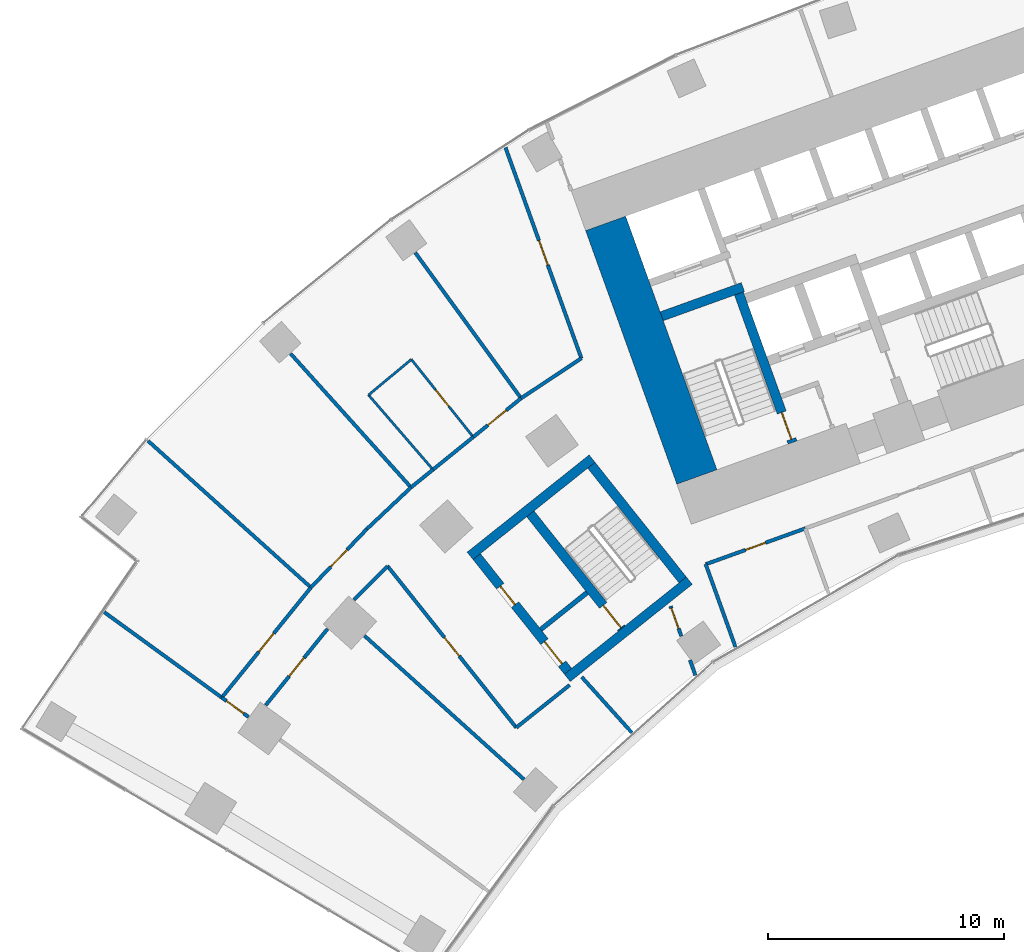
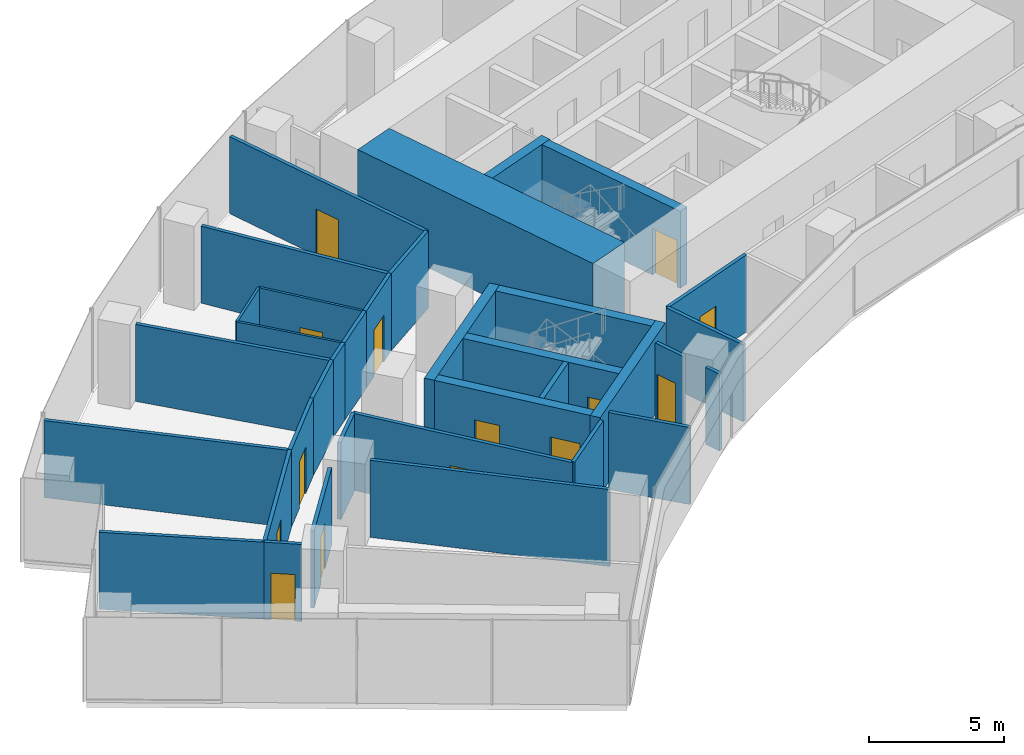
# One storey, part 14 of 21: 35 walls, 14 doors, 14 openings.
"""IFC4 building model written with IfcOpenShell, lengths in metres."""

import ifcopenshell
import ifcopenshell.guid

model = None  # the IFC model being written
_history = None  # IfcOwnerHistory: only IFC2X3 demands one
_inside = {}  # id of a spatial element -> (the spatial element, [elements in it])
_under = {}  # id of a project, library or spatial element -> (it, [spatial elements below it])
_declared = {}  # id of a project -> (the project, [libraries it declares])
_typed = {}  # id of a type object -> (the type object, [elements of that type])
_made_of = {}  # id of a material, layer set ... -> (it, [elements and type objects made of it])


def new_model(schema):
    """Start an empty IFC model of exactly this schema.

    Asked for "IFC4X3", IfcOpenShell would pick the latest addendum, in which some entities
    have other attributes; the version numbers below select the first issue.
    IFC2X3 requires an IfcOwnerHistory on every rooted entity: one is made here for all.
    """
    global model, _history
    if schema == "IFC4X3":
        model = ifcopenshell.file(schema_version=(4, 3, 0, 0))
    else:
        model = ifcopenshell.file(schema=schema)
    _inside.clear()
    _under.clear()
    _declared.clear()
    _typed.clear()
    _made_of.clear()
    _history = None
    if model.schema == "IFC2X3":
        org = make("IfcOrganization", Name="unknown")
        user = make(
            "IfcPersonAndOrganization",
            ThePerson=make("IfcPerson", FamilyName="unknown"),
            TheOrganization=org,
        )
        app = make(
            "IfcApplication",
            ApplicationDeveloper=org,
            Version="unknown",
            ApplicationFullName="unknown",
            ApplicationIdentifier="unknown",
        )
        _history = make(
            "IfcOwnerHistory",
            OwningUser=user,
            OwningApplication=app,
            ChangeAction="ADDED",
            CreationDate=0,
        )
    return model


def make(cls, **values):
    """One entity of the class cls with the attributes given. An attribute that is None is left unset."""
    return model.create_entity(
        cls, **{name: value for name, value in values.items() if value is not None}
    )


def rooted(cls, **values):
    """An entity with a GlobalId (a new one), such as an element, a storey or a relation."""
    return make(cls, GlobalId=ifcopenshell.guid.new(), OwnerHistory=_history, **values)


def si_unit(unit_type, name, prefix=None):
    """IfcSIUnit, for example si_unit("LENGTHUNIT", "METRE", prefix="MILLI")."""
    return make("IfcSIUnit", UnitType=unit_type, Prefix=prefix, Name=name)


def assignment(units):
    """IfcUnitAssignment: the units of a project."""
    return None if units is None else make("IfcUnitAssignment", Units=units)


def point(xyz):
    """IfcCartesianPoint."""
    return None if xyz is None else make("IfcCartesianPoint", Coordinates=xyz)


def direction(xyz):
    """IfcDirection."""
    return None if xyz is None else make("IfcDirection", DirectionRatios=xyz)


def frame(location, z_axis=None, x_axis=None):
    """IfcAxis2Placement3D, a coordinate frame: its origin and axes. An axis left out is left unset."""
    return make(
        "IfcAxis2Placement3D",
        Location=point(location),
        Axis=direction(z_axis),
        RefDirection=direction(x_axis),
    )


def frame_2d(location, x_axis=None):
    """IfcAxis2Placement2D, a coordinate frame in the plane: its origin and x axis."""
    return make(
        "IfcAxis2Placement2D", Location=point(location), RefDirection=direction(x_axis)
    )


def origin():
    """The frame at (0, 0, 0) with its axes left unset."""
    return frame((0.0, 0.0, 0.0))


def place(relative_to, where):
    """IfcLocalPlacement: puts the frame where relative to a parent placement (None: the world)."""
    return make(
        "IfcLocalPlacement", PlacementRelTo=relative_to, RelativePlacement=where
    )


def context(
    kind, dimensions, precision=None, world=None, true_north=None, identifier=None
):
    """IfcGeometricRepresentationContext, for example the 3D "Model" context."""
    return make(
        "IfcGeometricRepresentationContext",
        ContextIdentifier=identifier,
        ContextType=kind,
        CoordinateSpaceDimension=dimensions,
        Precision=precision,
        WorldCoordinateSystem=world,
        TrueNorth=true_north,
    )


def subcontext(parent, identifier, kind, view, scale=None):
    """IfcGeometricRepresentationSubContext, for example "Body" below "Model"."""
    return make(
        "IfcGeometricRepresentationSubContext",
        ContextIdentifier=identifier,
        ContextType=kind,
        ParentContext=parent,
        TargetScale=scale,
        TargetView=view,
    )


def project(units=None, contexts=None):
    """IfcProject with its units and contexts."""
    return rooted(
        "IfcProject",
        Name="project",
        RepresentationContexts=contexts,
        UnitsInContext=assignment(units),
    )


def spatial(cls, under=None, at=None, **own):
    """A site, building, storey or space (cls), placed at a placement, below another one or the project."""
    s = rooted(cls, ObjectPlacement=at, **own)
    if under is not None:
        _under.setdefault(under.id(), (under, []))[1].append(s)
    return s


def profile(cls, at=None, kind="AREA", **sizes):
    """A parametric profile (cls). Its sizes go by their IFC names, for example OverallWidth=200.0."""
    return make(cls, ProfileType=kind, Position=at, **sizes)


def rectangle(**sizes):
    """IfcRectangleProfileDef."""
    return profile("IfcRectangleProfileDef", **sizes)


def extrude(swept, where, along, depth):
    """IfcExtrudedAreaSolid: the profile swept, set in the frame where, extruded along a direction by depth."""
    return make(
        "IfcExtrudedAreaSolid",
        SweptArea=swept,
        Position=where,
        ExtrudedDirection=direction(along),
        Depth=depth,
    )


def shape(context_of_items, identifier, shape_type, items):
    """IfcShapeRepresentation: the items that make up one representation, for example the "Body"."""
    return make(
        "IfcShapeRepresentation",
        ContextOfItems=context_of_items,
        RepresentationIdentifier=identifier,
        RepresentationType=shape_type,
        Items=items,
    )


def material(Name=None, Category=None):
    """IfcMaterial."""
    return make("IfcMaterial", Name=Name, Category=Category)


def layer(
    of_material, thickness, ventilated=None, Name=None, Category=None, Priority=None
):
    """IfcMaterialLayer: one layer of a wall or slab, of a material (None: an air gap)."""
    return make(
        "IfcMaterialLayer",
        Material=of_material,
        LayerThickness=thickness,
        IsVentilated=ventilated,
        Name=Name,
        Category=Category,
        Priority=Priority,
    )


def layer_set(layers, Name=None):
    """IfcMaterialLayerSet."""
    return make("IfcMaterialLayerSet", MaterialLayers=layers, LayerSetName=Name)


def made_of(thing, what):
    """Note that an element or type object is made of a material, layer set ...; save() writes the relation."""
    if what is not None:
        _made_of.setdefault(what.id(), (what, []))[1].append(thing)
    return thing


def type_object(cls, material=None, **own):
    """A type object (cls), such as IfcWallType, which elements share."""
    return made_of(rooted(cls, **own), material)


def element(
    cls,
    number,
    at=None,
    inside=None,
    cuts=None,
    type_object=None,
    material=None,
    context=None,
    identifier="Body",
    shape_type=None,
    held_by="IfcProductDefinitionShape",
    body=None,
    shapes=None,
    **own,
):
    """One element of the class cls, such as IfcWall. Its Tag is "e" and its number.

    at: its placement. inside: the storey or other place that contains it. cuts: it is an
    opening in that element (IfcRelVoidsElement). A single representation is given by context,
    identifier, shape_type and body (its items); several are given by shapes. held_by: the class
    of the entity that holds the representations. save() writes the other relations.
    """
    e = rooted(cls, Tag="e%d" % number, ObjectPlacement=at, **own)
    if body is not None:
        shapes = [shape(context, identifier, shape_type, body)]
    if shapes is not None:
        e.Representation = make(held_by, Representations=shapes)
    if inside is not None:
        _inside.setdefault(inside.id(), (inside, []))[1].append(e)
    if cuts is not None:
        rooted(
            "IfcRelVoidsElement", RelatingBuildingElement=cuts, RelatedOpeningElement=e
        )
    if type_object is not None:
        _typed.setdefault(type_object.id(), (type_object, []))[1].append(e)
    return made_of(e, material)


def fill(opening, filler):
    """IfcRelFillsElement: the door or window that sits in an opening."""
    return rooted(
        "IfcRelFillsElement",
        RelatingOpeningElement=opening,
        RelatedBuildingElement=filler,
    )


def aggregate(whole, parts):
    """IfcRelAggregates: a whole, such as a stair, and the parts it consists of."""
    return rooted("IfcRelAggregates", RelatingObject=whole, RelatedObjects=parts)


def save(model, path):
    """Write the relations noted so far, then the file.

    IfcRelAggregates (storeys below a building ...), IfcRelContainedInSpatialStructure (elements
    in a storey), IfcRelDefinesByType, IfcRelAssociatesMaterial and IfcRelDeclares: one each for
    every whole, place, type object, material and project.
    """
    for whole, parts in _under.values():
        aggregate(whole, parts)
    for where, things in _inside.values():
        rooted(
            "IfcRelContainedInSpatialStructure",
            RelatedElements=things,
            RelatingStructure=where,
        )
    for kind, things in _typed.values():
        rooted("IfcRelDefinesByType", RelatedObjects=things, RelatingType=kind)
    for what, things in _made_of.values():
        rooted("IfcRelAssociatesMaterial", RelatedObjects=things, RelatingMaterial=what)
    for by, libraries in _declared.values():
        rooted("IfcRelDeclares", RelatingContext=by, RelatedDefinitions=libraries)
    model.write(path)


model = new_model("IFC4")

# Units and contexts
model_context = context("Model", 3, precision=1e-05, world=origin(), true_north=direction((0.0, 1.0)))
body_context = subcontext(model_context, "Body", "Model", "MODEL_VIEW")
ifc_project = project(units=[si_unit("LENGTHUNIT", "METRE"), si_unit("AREAUNIT", "SQUARE_METRE"), si_unit("VOLUMEUNIT", "CUBIC_METRE"), si_unit("PLANEANGLEUNIT", "RADIAN"), si_unit("MASSUNIT", "GRAM", prefix="KILO")], contexts=[model_context])

# Site, building, storey
site_placement = place(None, origin())
site = spatial("IfcSite", under=ifc_project, at=site_placement, CompositionType="ELEMENT")
building_placement = place(site_placement, origin())
building = spatial("IfcBuilding", under=site, at=building_placement, Name="Stone Belt Terrace Tower", CompositionType="ELEMENT")
storey_placement = place(building_placement, frame((0.0, 0.0, 56.60009765625)))
storey = spatial("IfcBuildingStorey", under=building, at=storey_placement, Name="L13", CompositionType="ELEMENT", Elevation=56.60009765625)

# Wall
ifc_material_1 = material(Name="Concrete B80", Category="concrete")
ifc_layer_1 = layer(ifc_material_1, 1.800048828125)
ifc_layer_set_1 = layer_set([ifc_layer_1], Name="Core wall 1800 B80")
wall_type_1 = type_object("IfcWallType", Name="Core wall 1800 B80", PredefinedType="SHEAR", material=ifc_layer_set_1)
wall_1_placement = place(storey_placement, frame((-26.197509765625, 42.96728515625, 0.0), z_axis=(0.0, 0.0, 1.0), x_axis=(-0.338625431531, 0.940921259788, 0.0)))
element("IfcWall", 1, at=wall_1_placement, inside=storey, type_object=wall_type_1, Name="Core A wall end_a L13", PredefinedType="SHEAR", context=body_context, shape_type="SweptSolid", body=[
    extrude(rectangle(XDim=11.400146484375, YDim=1.800048828125, at=frame_2d((5.7001953125, 0.0))), origin(), (0.0, 0.0, 1.0), 3.7998046875),
])

# Wall, opening, door
ifc_material_2 = material(Name="Gypsum board partition")
ifc_layer_2 = layer(ifc_material_2, 0.10009765625)
ifc_layer_set_2 = layer_set([ifc_layer_2], Name="PARTITION 100")
wall_type_2 = type_object("IfcWallType", Name="PARTITION 100", PredefinedType="PARTITIONING", material=ifc_layer_set_2)
wall_2_placement = place(storey_placement, frame((-35.658935546875, 44.657958984375, 0.0), z_axis=(0.0, 0.0, 1.0), x_axis=(-0.623872039907, 0.781526504875, 0.0)))
wall_2 = element("IfcWall", 2, at=wall_2_placement, inside=storey, type_object=wall_type_2, Name="L13/wall/i054", PredefinedType="PARTITIONING", context=body_context, shape_type="SweptSolid", body=[
    extrude(rectangle(XDim=4.1982421875, YDim=0.10009765625, at=frame_2d((2.09912109375, 0.0))), origin(), (0.0, 0.0, 1.0), 3.47998046875),
])
opening_1_placement = place(wall_2_placement, frame((1.649169921875, 0.0, 0.0)))
opening_1 = element("IfcOpeningElement", 3, at=opening_1_placement, cuts=wall_2, Name="Opening D-A4-18", PredefinedType="OPENING", context=body_context, shape_type="SweptSolid", body=[
    extrude(rectangle(XDim=0.89990234375, YDim=2.10009765625, at=frame_2d((0.449951171875, 1.050048828125))), frame((0.0, 0.06005859375, 0.0), z_axis=(0.0, -1.0, 0.0), x_axis=(1.0, 0.0, 0.0)), (0.0, 0.0, 1.0), 0.1201171875),
])
ifc_material_3 = material(Name="Timber door leaf", Category="wood")
door_type_1 = type_object("IfcDoorType", Name="OFFICE DOOR 900 X 2100", OperationType="NOTDEFINED", PredefinedType="DOOR", material=ifc_material_3)
door_1_placement = place(opening_1_placement, origin())
door_1 = element("IfcDoor", 4, at=door_1_placement, inside=storey, type_object=door_type_1, Name="L13/door/i18", OperationType="SINGLE_SWING_RIGHT", OverallHeight=2.10009765625, OverallWidth=0.89990234375, PredefinedType="DOOR", context=body_context, shape_type="SweptSolid", body=[
    extrude(rectangle(XDim=0.89990234375, YDim=2.10009765625, at=frame_2d((0.449951171875, 1.050048828125))), frame((0.0, 0.02490234375, 0.0), z_axis=(0.0, -1.0, 0.0), x_axis=(1.0, 0.0, 0.0)), (0.0, 0.0, 1.0), 0.050048828125),
])
fill(opening_1, door_1)

# Walls
wall_3_placement = place(storey_placement, frame((-38.278076171875, 47.93896484375, 0.0), z_axis=(0.0, 0.0, 1.0), x_axis=(-0.769317491723, -0.63886665035, 0.0)))
element("IfcWall", 5, at=wall_3_placement, inside=storey, type_object=wall_type_2, Name="L13/wall/i055", PredefinedType="PARTITIONING", context=body_context, shape_type="SweptSolid", body=[
    extrude(rectangle(XDim=2.3525390625, YDim=0.10009765625, at=frame_2d((1.17626953125, 0.0))), origin(), (0.0, 0.0, 1.0), 3.47998046875),
])
wall_4_placement = place(storey_placement, frame((-40.087890625, 46.43603515625, 0.0), z_axis=(0.0, 0.0, 1.0), x_axis=(0.653414148452, -0.757000627875, 0.0)))
element("IfcWall", 6, at=wall_4_placement, inside=storey, type_object=wall_type_2, Name="L13/wall/i056", PredefinedType="PARTITIONING", context=body_context, shape_type="SweptSolid", body=[
    extrude(rectangle(XDim=4.171630859375, YDim=0.10009765625, at=frame_2d((2.0859375, 0.0))), origin(), (0.0, 0.0, 1.0), 3.47998046875),
])
ifc_layer_3 = layer(ifc_material_2, 0.14990234375)
ifc_layer_set_3 = layer_set([ifc_layer_3], Name="PARTITION 150 EI 60")
wall_type_3 = type_object("IfcWallType", Name="PARTITION 150 EI 60", PredefinedType="PARTITIONING", material=ifc_layer_set_3)
wall_5_placement = place(storey_placement, frame((-25.826904296875, 39.281005859375, 0.0), z_axis=(0.0, 0.0, 1.0), x_axis=(0.338392582605, -0.941005026574, 0.0)))
element("IfcWall", 7, at=wall_5_placement, inside=storey, type_object=wall_type_3, Name="L13/wall/i001", PredefinedType="PARTITIONING", context=body_context, shape_type="SweptSolid", body=[
    extrude(rectangle(XDim=3.729248046875, YDim=0.14990234375, at=frame_2d((1.86474609375, 0.0))), origin(), (0.0, 0.0, 1.0), 3.47998046875),
])
wall_6_placement = place(storey_placement, frame((-26.25732421875, 34.572021484375, 0.0), z_axis=(0.0, 0.0, 1.0), x_axis=(-0.338832657553, 0.940846656037, 0.0)))
element("IfcWall", 8, at=wall_6_placement, inside=storey, type_object=wall_type_3, Name="L13/wall/i004", PredefinedType="PARTITIONING", context=body_context, shape_type="SweptSolid", body=[
    extrude(rectangle(XDim=0.6875, YDim=0.14990234375, at=frame_2d((0.34375, 0.0))), origin(), (0.0, 0.0, 1.0), 3.47998046875),
])

# Wall, opening, door
wall_7_placement = place(storey_placement, frame((-26.85595703125, 36.234619140625, 0.0), z_axis=(0.0, 0.0, 1.0), x_axis=(-0.338828657155, 0.940848096714, 0.0)))
wall_7 = element("IfcWall", 9, at=wall_7_placement, inside=storey, type_object=wall_type_3, Name="L13/wall/i005", PredefinedType="PARTITIONING", context=body_context, shape_type="SweptSolid", body=[
    extrude(rectangle(XDim=1.345947265625, YDim=0.14990234375, at=frame_2d((0.6728515625, 0.0))), origin(), (0.0, 0.0, 1.0), 3.47998046875),
])
opening_2_placement = place(wall_7_placement, frame((0.3515625, 0.0, 0.0)))
opening_2 = element("IfcOpeningElement", 10, at=opening_2_placement, cuts=wall_7, Name="Opening D-A4-13", PredefinedType="OPENING", context=body_context, shape_type="SweptSolid", body=[
    extrude(rectangle(XDim=0.89990234375, YDim=2.10009765625, at=frame_2d((0.449951171875, 1.050048828125))), frame((0.0, 0.0849609375, 0.0), z_axis=(0.0, -1.0, 0.0), x_axis=(1.0, 0.0, 0.0)), (0.0, 0.0, 1.0), 0.169921875),
])
ifc_material_4 = material(Name="Timber fire door leaf", Category="wood")
door_type_2 = type_object("IfcDoorType", Name="TENANCY ENTRANCE DOOR 900 X 2100", OperationType="NOTDEFINED", PredefinedType="DOOR", material=ifc_material_4)
door_2_placement = place(opening_2_placement, origin())
door_2 = element("IfcDoor", 11, at=door_2_placement, inside=storey, type_object=door_type_2, Name="L13/door/i13", OperationType="SINGLE_SWING_RIGHT", OverallHeight=2.10009765625, OverallWidth=0.89990234375, PredefinedType="DOOR", context=body_context, shape_type="SweptSolid", body=[
    extrude(rectangle(XDim=0.89990234375, YDim=2.10009765625, at=frame_2d((0.449951171875, 1.050048828125))), frame((0.0, 0.02490234375, 0.0), z_axis=(0.0, -1.0, 0.0), x_axis=(1.0, 0.0, 0.0)), (0.0, 0.0, 1.0), 0.050048828125),
])
fill(opening_2, door_2)

wall_8_placement = place(storey_placement, frame((-31.0830078125, 47.98193359375, 0.0), z_axis=(0.0, 0.0, 1.0), x_axis=(-0.338806014878, 0.940856250594, 0.0)))
wall_8 = element("IfcWall", 12, at=wall_8_placement, inside=storey, type_object=wall_type_3, Name="L13/wall/i006", PredefinedType="PARTITIONING", context=body_context, shape_type="SweptSolid", body=[
    extrude(rectangle(XDim=9.489501953125, YDim=0.14990234375, at=frame_2d((4.74462890625, 0.0))), origin(), (0.0, 0.0, 1.0), 3.47998046875),
])
opening_3_placement = place(wall_8_placement, frame((4.194580078125, 0.0, 0.0)))
opening_3 = element("IfcOpeningElement", 13, at=opening_3_placement, cuts=wall_8, Name="Opening D-A4-16", PredefinedType="OPENING", context=body_context, shape_type="SweptSolid", body=[
    extrude(rectangle(XDim=1.10009765625, YDim=2.10009765625, at=frame_2d((0.550048828125, 1.050048828125))), frame((0.0, 0.0849609375, 0.0), z_axis=(0.0, -1.0, 0.0), x_axis=(1.0, 0.0, 0.0)), (0.0, 0.0, 1.0), 0.169921875),
])
ifc_material_5 = material(Name="Steel fire door set", Category="steel")
door_type_3 = type_object("IfcDoorType", Name="SERVICE ROOM DOOR 1100 X 2100", OperationType="NOTDEFINED", PredefinedType="DOOR", material=ifc_material_5)
door_3_placement = place(opening_3_placement, origin())
door_3 = element("IfcDoor", 14, at=door_3_placement, inside=storey, type_object=door_type_3, Name="L13/door/i16", OperationType="SINGLE_SWING_LEFT", OverallHeight=2.10009765625, OverallWidth=1.10009765625, PredefinedType="DOOR", context=body_context, shape_type="SweptSolid", body=[
    extrude(rectangle(XDim=1.10009765625, YDim=2.10009765625, at=frame_2d((0.550048828125, 1.050048828125))), frame((0.0, 0.02490234375, 0.0), z_axis=(0.0, -1.0, 0.0), x_axis=(1.0, 0.0, 0.0)), (0.0, 0.0, 1.0), 0.050048828125),
])
fill(opening_3, door_3)

wall_9_placement = place(storey_placement, frame((-21.610107421875, 40.7919921875, 0.0), z_axis=(0.0, 0.0, 1.0), x_axis=(-0.940905474606, -0.338669289805, 0.0)))
wall_9 = element("IfcWall", 15, at=wall_9_placement, inside=storey, type_object=wall_type_3, Name="L13/wall/i011", PredefinedType="PARTITIONING", context=body_context, shape_type="SweptSolid", body=[
    extrude(rectangle(XDim=4.4794921875, YDim=0.14990234375, at=frame_2d((2.23974609375, 0.0))), origin(), (0.0, 0.0, 1.0), 3.47998046875),
])
opening_4_placement = place(wall_9_placement, frame((1.789794921875, 0.0, 0.0)))
opening_4 = element("IfcOpeningElement", 16, at=opening_4_placement, cuts=wall_9, Name="Opening D-A4-01", PredefinedType="OPENING", context=body_context, shape_type="SweptSolid", body=[
    extrude(rectangle(XDim=0.89990234375, YDim=2.10009765625, at=frame_2d((0.449951171875, 1.050048828125))), frame((0.0, 0.0849609375, 0.0), z_axis=(0.0, -1.0, 0.0), x_axis=(1.0, 0.0, 0.0)), (0.0, 0.0, 1.0), 0.169921875),
])
door_4_placement = place(opening_4_placement, origin())
door_4 = element("IfcDoor", 17, at=door_4_placement, inside=storey, type_object=door_type_1, Name="L13/door/i01", OperationType="SINGLE_SWING_RIGHT", OverallHeight=2.10009765625, OverallWidth=0.89990234375, PredefinedType="DOOR", context=body_context, shape_type="SweptSolid", body=[
    extrude(rectangle(XDim=0.89990234375, YDim=2.10009765625, at=frame_2d((0.449951171875, 1.050048828125))), frame((0.0, 0.02490234375, 0.0), z_axis=(0.0, -1.0, 0.0), x_axis=(1.0, 0.0, 0.0)), (0.0, 0.0, 1.0), 0.050048828125),
])
fill(opening_4, door_4)

wall_10_placement = place(storey_placement, frame((-45.167236328125, 32.816162109375, 0.0), z_axis=(0.0, 0.0, 1.0), x_axis=(-0.809353623303, 0.587321643094, 0.0)))
wall_10 = element("IfcWall", 18, at=wall_10_placement, inside=storey, type_object=wall_type_3, Name="L13/wall/i037", PredefinedType="PARTITIONING", context=body_context, shape_type="SweptSolid", body=[
    extrude(rectangle(XDim=1.40087890625, YDim=0.14990234375, at=frame_2d((0.700439453125, 0.0))), origin(), (0.0, 0.0, 1.0), 3.47998046875),
])
opening_5_placement = place(wall_10_placement, frame((0.25048828125, 0.0, 0.0)))
opening_5 = element("IfcOpeningElement", 19, at=opening_5_placement, cuts=wall_10, Name="Opening D-A4-12", PredefinedType="OPENING", context=body_context, shape_type="SweptSolid", body=[
    extrude(rectangle(XDim=0.89990234375, YDim=2.10009765625, at=frame_2d((0.449951171875, 1.050048828125))), frame((0.0, 0.0849609375, 0.0), z_axis=(0.0, -1.0, 0.0), x_axis=(1.0, 0.0, 0.0)), (0.0, 0.0, 1.0), 0.169921875),
])
door_5_placement = place(opening_5_placement, origin())
door_5 = element("IfcDoor", 20, at=door_5_placement, inside=storey, type_object=door_type_1, Name="L13/door/i12", OperationType="SINGLE_SWING_RIGHT", OverallHeight=2.10009765625, OverallWidth=0.89990234375, PredefinedType="DOOR", context=body_context, shape_type="SweptSolid", body=[
    extrude(rectangle(XDim=0.89990234375, YDim=2.10009765625, at=frame_2d((0.449951171875, 1.050048828125))), frame((0.0, 0.02490234375, 0.0), z_axis=(0.0, -1.0, 0.0), x_axis=(1.0, 0.0, 0.0)), (0.0, 0.0, 1.0), 0.050048828125),
])
fill(opening_5, door_5)

# Walls
wall_11_placement = place(storey_placement, frame((-51.27294921875, 37.251708984375, 0.0), z_axis=(0.0, 0.0, 1.0), x_axis=(0.809013729568, -0.587789745887, 0.0)))
element("IfcWall", 21, at=wall_11_placement, inside=storey, type_object=wall_type_3, Name="L13/wall/i039", PredefinedType="PARTITIONING", context=body_context, shape_type="SweptSolid", body=[
    extrude(rectangle(XDim=6.157958984375, YDim=0.14990234375, at=frame_2d((3.0791015625, 0.0))), origin(), (0.0, 0.0, 1.0), 3.47998046875),
])
wall_12_placement = place(storey_placement, frame((-33.635986328125, 46.2958984375, 0.0), z_axis=(0.0, 0.0, 1.0), x_axis=(0.833385857539, 0.552691607005, 0.0)))
element("IfcWall", 22, at=wall_12_placement, inside=storey, type_object=wall_type_3, Name="L13/wall/i040", PredefinedType="PARTITIONING", context=body_context, shape_type="SweptSolid", body=[
    extrude(rectangle(XDim=3.059814453125, YDim=0.14990234375, at=frame_2d((1.52978515625, 0.0))), origin(), (0.0, 0.0, 1.0), 3.47998046875),
])
wall_13_placement = place(storey_placement, frame((-38.2900390625, 42.527099609375, 0.0), z_axis=(0.0, 0.0, 1.0), x_axis=(0.777443786305, 0.628952429946, 0.0)))
element("IfcWall", 23, at=wall_13_placement, inside=storey, type_object=wall_type_3, Name="L13/wall/i041", PredefinedType="PARTITIONING", context=body_context, shape_type="SweptSolid", body=[
    extrude(rectangle(XDim=1.2001953125, YDim=0.14990234375, at=frame_2d((0.60009765625, 0.0))), origin(), (0.0, 0.0, 1.0), 3.47998046875),
])

# Wall, opening, door
wall_14_placement = place(storey_placement, frame((-35.6630859375, 44.654052734375, 0.0), z_axis=(0.0, 0.0, 1.0), x_axis=(0.777083561477, 0.629397440797, 0.0)))
wall_14 = element("IfcWall", 24, at=wall_14_placement, inside=storey, type_object=wall_type_3, Name="L13/wall/i042", PredefinedType="PARTITIONING", context=body_context, shape_type="SweptSolid", body=[
    extrude(rectangle(XDim=2.608642578125, YDim=0.14990234375, at=frame_2d((1.30419921875, 0.0))), origin(), (0.0, 0.0, 1.0), 3.47998046875),
])
opening_6_placement = place(wall_14_placement, frame((0.80419921875, 0.0, 0.0)))
opening_6 = element("IfcOpeningElement", 25, at=opening_6_placement, cuts=wall_14, Name="Opening D-A4-17", PredefinedType="OPENING", context=body_context, shape_type="SweptSolid", body=[
    extrude(rectangle(XDim=1.0, YDim=2.10009765625, at=frame_2d((0.5, 1.050048828125))), frame((0.0, 0.0849609375, 0.0), z_axis=(0.0, -1.0, 0.0), x_axis=(1.0, 0.0, 0.0)), (0.0, 0.0, 1.0), 0.169921875),
])
door_type_4 = type_object("IfcDoorType", Name="TENANCY ENTRANCE DOOR 1000 X 2100", OperationType="NOTDEFINED", PredefinedType="DOOR", material=ifc_material_4)
door_6_placement = place(opening_6_placement, origin())
door_6 = element("IfcDoor", 26, at=door_6_placement, inside=storey, type_object=door_type_4, Name="L13/door/i17", OperationType="SINGLE_SWING_RIGHT", OverallHeight=2.10009765625, OverallWidth=1.0, PredefinedType="DOOR", context=body_context, shape_type="SweptSolid", body=[
    extrude(rectangle(XDim=1.0, YDim=2.10009765625, at=frame_2d((0.5, 1.050048828125))), frame((0.0, 0.02490234375, 0.0), z_axis=(0.0, -1.0, 0.0), x_axis=(1.0, 0.0, 0.0)), (0.0, 0.0, 1.0), 0.050048828125),
])
fill(opening_6, door_6)

# Walls
wall_15_placement = place(storey_placement, frame((-37.366943359375, 43.27392578125, 0.0), z_axis=(0.0, 0.0, 1.0), x_axis=(0.777170056784, 0.629290634634, 0.0)))
element("IfcWall", 27, at=wall_15_placement, inside=storey, type_object=wall_type_3, Name="L13/wall/i043", PredefinedType="PARTITIONING", context=body_context, shape_type="SweptSolid", body=[
    extrude(rectangle(XDim=2.2041015625, YDim=0.14990234375, at=frame_2d((1.10205078125, 0.0))), origin(), (0.0, 0.0, 1.0), 3.47998046875),
])
wall_16_placement = place(storey_placement, frame((-40.1640625, 40.761962890625, 0.0), z_axis=(0.0, 0.0, 1.0), x_axis=(0.727996599904, 0.685580739613, 0.0)))
element("IfcWall", 28, at=wall_16_placement, inside=storey, type_object=wall_type_3, Name="L13/wall/i044", PredefinedType="PARTITIONING", context=body_context, shape_type="SweptSolid", body=[
    extrude(rectangle(XDim=2.572998046875, YDim=0.14990234375, at=frame_2d((1.28662109375, 0.0))), origin(), (0.0, 0.0, 1.0), 3.47998046875),
])
wall_17_placement = place(storey_placement, frame((-39.285888671875, 39.200927734375, 0.0), z_axis=(0.0, 0.0, 1.0), x_axis=(-0.707106781187, -0.707106781187, 0.0)))
element("IfcWall", 29, at=wall_17_placement, inside=storey, type_object=wall_type_3, Name="L13/wall/i045", PredefinedType="PARTITIONING", context=body_context, shape_type="SweptSolid", body=[
    extrude(rectangle(XDim=2.017333984375, YDim=0.14990234375, at=frame_2d((1.0087890625, 0.0))), origin(), (0.0, 0.0, 1.0), 3.47998046875),
])

# Wall, opening, door
wall_18_placement = place(storey_placement, frame((-41.82373046875, 36.541259765625, 0.0), z_axis=(0.0, 0.0, 1.0), x_axis=(-0.629213442028, -0.777232554884, 0.0)))
wall_18 = element("IfcWall", 30, at=wall_18_placement, inside=storey, type_object=wall_type_3, Name="L13/wall/i046", PredefinedType="PARTITIONING", context=body_context, shape_type="SweptSolid", body=[
    extrude(rectangle(XDim=4.15478515625, YDim=0.14990234375, at=frame_2d((2.077392578125, 0.0))), origin(), (0.0, 0.0, 1.0), 3.47998046875),
])
opening_7_placement = place(wall_18_placement, frame((1.577392578125, 0.0, 0.0)))
opening_7 = element("IfcOpeningElement", 31, at=opening_7_placement, cuts=wall_18, Name="Opening D-A4-15", PredefinedType="OPENING", context=body_context, shape_type="SweptSolid", body=[
    extrude(rectangle(XDim=1.0, YDim=2.10009765625, at=frame_2d((0.5, 1.050048828125))), frame((0.0, 0.0849609375, 0.0), z_axis=(0.0, -1.0, 0.0), x_axis=(1.0, 0.0, 0.0)), (0.0, 0.0, 1.0), 0.169921875),
])
door_7_placement = place(opening_7_placement, origin())
door_7 = element("IfcDoor", 32, at=door_7_placement, inside=storey, type_object=door_type_4, Name="L13/door/i15", OperationType="SINGLE_SWING_RIGHT", OverallHeight=2.10009765625, OverallWidth=1.0, PredefinedType="DOOR", context=body_context, shape_type="SweptSolid", body=[
    extrude(rectangle(XDim=1.0, YDim=2.10009765625, at=frame_2d((0.5, 1.050048828125))), frame((0.0, 0.02490234375, 0.0), z_axis=(0.0, -1.0, 0.0), x_axis=(1.0, 0.0, 0.0)), (0.0, 0.0, 1.0), 0.050048828125),
])
fill(opening_7, door_7)

wall_19_placement = place(storey_placement, frame((-42.52587890625, 38.291015625, 0.0), z_axis=(0.0, 0.0, 1.0), x_axis=(0.690963131402, 0.722889999269, 0.0)))
wall_19 = element("IfcWall", 33, at=wall_19_placement, inside=storey, type_object=wall_type_3, Name="L13/wall/i047", PredefinedType="PARTITIONING", context=body_context, shape_type="SweptSolid", body=[
    extrude(rectangle(XDim=3.418212890625, YDim=0.14990234375, at=frame_2d((1.708984375, 0.0))), origin(), (0.0, 0.0, 1.0), 3.47998046875),
])
opening_8_placement = place(wall_19_placement, frame((1.209228515625, 0.0, 0.0)))
opening_8 = element("IfcOpeningElement", 34, at=opening_8_placement, cuts=wall_19, Name="Opening D-A4-19", PredefinedType="OPENING", context=body_context, shape_type="SweptSolid", body=[
    extrude(rectangle(XDim=1.0, YDim=2.10009765625, at=frame_2d((0.5, 1.050048828125))), frame((0.0, 0.0849609375, 0.0), z_axis=(0.0, -1.0, 0.0), x_axis=(1.0, 0.0, 0.0)), (0.0, 0.0, 1.0), 0.169921875),
])
door_8_placement = place(opening_8_placement, origin())
door_8 = element("IfcDoor", 35, at=door_8_placement, inside=storey, type_object=door_type_4, Name="L13/door/i19", OperationType="SINGLE_SWING_RIGHT", OverallHeight=2.10009765625, OverallWidth=1.0, PredefinedType="DOOR", context=body_context, shape_type="SweptSolid", body=[
    extrude(rectangle(XDim=1.0, YDim=2.10009765625, at=frame_2d((0.5, 1.050048828125))), frame((0.0, 0.02490234375, 0.0), z_axis=(0.0, -1.0, 0.0), x_axis=(1.0, 0.0, 0.0)), (0.0, 0.0, 1.0), 0.050048828125),
])
fill(opening_8, door_8)

wall_20_placement = place(storey_placement, frame((-46.2958984375, 33.635986328125, 0.0), z_axis=(0.0, 0.0, 1.0), x_axis=(0.629322532513, 0.77714422733, 0.0)))
wall_20 = element("IfcWall", 36, at=wall_20_placement, inside=storey, type_object=wall_type_3, Name="L13/wall/i048", PredefinedType="PARTITIONING", context=body_context, shape_type="SweptSolid", body=[
    extrude(rectangle(XDim=5.98876953125, YDim=0.14990234375, at=frame_2d((2.994384765625, 0.0))), origin(), (0.0, 0.0, 1.0), 3.47998046875),
])
opening_9_placement = place(wall_20_placement, frame((2.494384765625, 0.0, 0.0)))
opening_9 = element("IfcOpeningElement", 37, at=opening_9_placement, cuts=wall_20, Name="Opening D-A4-20", PredefinedType="OPENING", context=body_context, shape_type="SweptSolid", body=[
    extrude(rectangle(XDim=1.0, YDim=2.10009765625, at=frame_2d((0.5, 1.050048828125))), frame((0.0, 0.0849609375, 0.0), z_axis=(0.0, -1.0, 0.0), x_axis=(1.0, 0.0, 0.0)), (0.0, 0.0, 1.0), 0.169921875),
])
door_9_placement = place(opening_9_placement, origin())
door_9 = element("IfcDoor", 38, at=door_9_placement, inside=storey, type_object=door_type_4, Name="L13/door/i20", OperationType="SINGLE_SWING_RIGHT", OverallHeight=2.10009765625, OverallWidth=1.0, PredefinedType="DOOR", context=body_context, shape_type="SweptSolid", body=[
    extrude(rectangle(XDim=1.0, YDim=2.10009765625, at=frame_2d((0.5, 1.050048828125))), frame((0.0, 0.02490234375, 0.0), z_axis=(0.0, -1.0, 0.0), x_axis=(1.0, 0.0, 0.0)), (0.0, 0.0, 1.0), 0.050048828125),
])
fill(opening_9, door_9)

# Wall
wall_21_placement = place(storey_placement, frame((-31.5810546875, 34.1650390625, 0.0), z_axis=(0.0, 0.0, 1.0), x_axis=(-0.782079504581, -0.623178665003, 0.0)))
element("IfcWall", 39, at=wall_21_placement, inside=storey, type_object=wall_type_3, Name="L13/wall/i049", PredefinedType="PARTITIONING", context=body_context, shape_type="SweptSolid", body=[
    extrude(rectangle(XDim=2.888427734375, YDim=0.14990234375, at=frame_2d((1.4443359375, 0.0))), origin(), (0.0, 0.0, 1.0), 3.47998046875),
])

# Wall, opening, door
wall_22_placement = place(storey_placement, frame((-33.840087890625, 32.364990234375, 0.0), z_axis=(0.0, 0.0, 1.0), x_axis=(-0.623151683061, 0.782101003643, 0.0)))
wall_22 = element("IfcWall", 40, at=wall_22_placement, inside=storey, type_object=wall_type_3, Name="L13/wall/i050", PredefinedType="PARTITIONING", context=body_context, shape_type="SweptSolid", body=[
    extrude(rectangle(XDim=8.745849609375, YDim=0.14990234375, at=frame_2d((4.373046875, 0.0))), origin(), (0.0, 0.0, 1.0), 3.47998046875),
])
opening_10_placement = place(wall_22_placement, frame((3.872802734375, 0.0, 0.0)))
opening_10 = element("IfcOpeningElement", 41, at=opening_10_placement, cuts=wall_22, Name="Opening D-A4-14", PredefinedType="OPENING", context=body_context, shape_type="SweptSolid", body=[
    extrude(rectangle(XDim=1.0, YDim=2.10009765625, at=frame_2d((0.5, 1.050048828125))), frame((0.0, 0.0849609375, 0.0), z_axis=(0.0, -1.0, 0.0), x_axis=(1.0, 0.0, 0.0)), (0.0, 0.0, 1.0), 0.169921875),
])
door_10_placement = place(opening_10_placement, origin())
door_10 = element("IfcDoor", 42, at=door_10_placement, inside=storey, type_object=door_type_4, Name="L13/door/i14", OperationType="SINGLE_SWING_RIGHT", OverallHeight=2.10009765625, OverallWidth=1.0, PredefinedType="DOOR", context=body_context, shape_type="SweptSolid", body=[
    extrude(rectangle(XDim=1.0, YDim=2.10009765625, at=frame_2d((0.5, 1.050048828125))), frame((0.0, 0.02490234375, 0.0), z_axis=(0.0, -1.0, 0.0), x_axis=(1.0, 0.0, 0.0)), (0.0, 0.0, 1.0), 0.050048828125),
])
fill(opening_10, door_10)

# Walls
wall_23_placement = place(storey_placement, frame((-28.94775390625, 32.149658203125, 0.0), z_axis=(0.0, 0.0, 1.0), x_axis=(-0.669245279782, 0.74304155704, 0.0)))
element("IfcWall", 43, at=wall_23_placement, inside=storey, type_object=wall_type_3, Name="L13/wall/i051", PredefinedType="PARTITIONING", context=body_context, shape_type="SweptSolid", body=[
    extrude(rectangle(XDim=3.172607421875, YDim=0.14990234375, at=frame_2d((1.58642578125, 0.0))), origin(), (0.0, 0.0, 1.0), 3.47998046875),
])
wall_24_placement = place(storey_placement, frame((-33.515869140625, 30.177734375, 0.0), z_axis=(0.0, 0.0, 1.0), x_axis=(-0.743122805234, 0.669155061508, 0.0)))
element("IfcWall", 44, at=wall_24_placement, inside=storey, type_object=wall_type_3, Name="L13/wall/i052", PredefinedType="PARTITIONING", context=body_context, shape_type="SweptSolid", body=[
    extrude(rectangle(XDim=9.070068359375, YDim=0.14990234375, at=frame_2d((4.53515625, 0.0))), origin(), (0.0, 0.0, 1.0), 3.47998046875),
])
wall_25_placement = place(storey_placement, frame((-33.635986328125, 46.2958984375, 0.0), z_axis=(0.0, 0.0, 1.0), x_axis=(-0.587784342943, 0.809017655055, 0.0)))
element("IfcWall", 45, at=wall_25_placement, inside=storey, type_object=wall_type_3, Name="L13/wall/i053", PredefinedType="PARTITIONING", context=body_context, shape_type="SweptSolid", body=[
    extrude(rectangle(XDim=7.60888671875, YDim=0.14990234375, at=frame_2d((3.804443359375, 0.0))), origin(), (0.0, 0.0, 1.0), 3.47998046875),
])
wall_26_placement = place(storey_placement, frame((-38.291015625, 42.52587890625, 0.0), z_axis=(0.0, 0.0, 1.0), x_axis=(-0.669060448127, 0.743207990237, 0.0)))
element("IfcWall", 46, at=wall_26_placement, inside=storey, type_object=wall_type_3, Name="L13/wall/i057", PredefinedType="PARTITIONING", context=body_context, shape_type="SweptSolid", body=[
    extrude(rectangle(XDim=7.609375, YDim=0.14990234375, at=frame_2d((3.8046875, 0.0))), origin(), (0.0, 0.0, 1.0), 3.47998046875),
])
wall_27_placement = place(storey_placement, frame((-42.52587890625, 38.291015625, 0.0), z_axis=(0.0, 0.0, 1.0), x_axis=(-0.743148838472, 0.66912614945, 0.0)))
element("IfcWall", 47, at=wall_27_placement, inside=storey, type_object=wall_type_3, Name="L13/wall/i058", PredefinedType="PARTITIONING", context=body_context, shape_type="SweptSolid", body=[
    extrude(rectangle(XDim=9.2744140625, YDim=0.14990234375, at=frame_2d((4.63720703125, 0.0))), origin(), (0.0, 0.0, 1.0), 3.47998046875),
])
ifc_material_6 = material(Name="Concrete masonry block", Category="masonry")
ifc_layer_4 = layer(ifc_material_6, 0.199951171875)
ifc_layer_set_4 = layer_set([ifc_layer_4], Name="Rated lobby wall 200")
wall_type_4 = type_object("IfcWallType", Name="Rated lobby wall 200", PredefinedType="PARTITIONING", material=ifc_layer_set_4)
wall_28_placement = place(storey_placement, frame((-30.845703125, 38.074951171875, 0.0), z_axis=(0.0, 0.0, 1.0), x_axis=(-0.782115323833, -0.623133709749, 0.0)))
element("IfcWall", 48, at=wall_28_placement, inside=storey, type_object=wall_type_4, Name="Exit stair ST3A wall", PredefinedType="PARTITIONING", context=body_context, shape_type="SweptSolid", body=[
    extrude(rectangle(XDim=2.5, YDim=0.199951171875, at=frame_2d((1.25, 0.0))), origin(), (0.0, 0.0, 1.0), 3.47998046875),
])
ifc_layer_5 = layer(ifc_material_1, 0.39990234375)
ifc_layer_set_5 = layer_set([ifc_layer_5], Name="Stair enclosure wall 400")
wall_type_5 = type_object("IfcWallType", Name="Stair enclosure wall 400", PredefinedType="SHEAR", material=ifc_layer_set_5)
wall_29_placement = place(storey_placement, frame((-27.687255859375, 49.764404296875, 0.0), z_axis=(0.0, 0.0, 1.0), x_axis=(0.940918954884, 0.338631835981, 0.0)))
element("IfcWall", 49, at=wall_29_placement, inside=storey, type_object=wall_type_5, Name="Core A wall", PredefinedType="SHEAR", context=body_context, shape_type="SweptSolid", body=[
    extrude(rectangle(XDim=3.650146484375, YDim=0.39990234375, at=frame_2d((1.8251953125, 0.0))), origin(), (0.0, 0.0, 1.0), 3.47998046875),
])

# Wall, opening, door
wall_30_placement = place(storey_placement, frame((-22.151611328125, 44.42333984375, 0.0), z_axis=(0.0, 0.0, 1.0), x_axis=(-0.338625272931, 0.940921316866, 0.0)))
wall_30 = element("IfcWall", 50, at=wall_30_placement, inside=storey, type_object=wall_type_5, Name="Core A wall", PredefinedType="SHEAR", context=body_context, shape_type="SweptSolid", body=[
    extrude(rectangle(XDim=6.699951171875, YDim=0.39990234375, at=frame_2d((3.35009765625, 0.0))), origin(), (0.0, 0.0, 1.0), 3.47998046875),
])
opening_11_placement = place(wall_30_placement, frame((0.14990234375, 0.0, 0.0)))
opening_11 = element("IfcOpeningElement", 51, at=opening_11_placement, cuts=wall_30, Name="Opening L13-C03", PredefinedType="OPENING", context=body_context, shape_type="SweptSolid", body=[
    extrude(rectangle(XDim=1.199951171875, YDim=2.10009765625, at=frame_2d((0.60009765625, 1.050048828125))), frame((0.0, 0.2099609375, 0.0), z_axis=(0.0, -1.0, 0.0), x_axis=(1.0, 0.0, 0.0)), (0.0, 0.0, 1.0), 0.419921875),
])
ifc_material_7 = material(Name="Steel door leaf", Category="steel")
door_type_5 = type_object("IfcDoorType", Name="Stair door 1200", OperationType="SINGLE_SWING_LEFT", PredefinedType="DOOR", material=ifc_material_7)
door_11_placement = place(opening_11_placement, origin())
door_11 = element("IfcDoor", 52, at=door_11_placement, inside=storey, type_object=door_type_5, Name="Stair 1 door core A", OperationType="SINGLE_SWING_LEFT", OverallHeight=2.10009765625, OverallWidth=1.199951171875, PredefinedType="DOOR", context=body_context, shape_type="SweptSolid", body=[
    extrude(rectangle(XDim=1.199951171875, YDim=2.10009765625, at=frame_2d((0.60009765625, 1.050048828125))), frame((0.0, 0.02490234375, 0.0), z_axis=(0.0, -1.0, 0.0), x_axis=(1.0, 0.0, 0.0)), (0.0, 0.0, 1.0), 0.050048828125),
])
fill(opening_11, door_11)

# Walls
for number, where, z_axis, x_axis, name in (
    (53, (-26.518798828125, 38.58154296875, 0.0), (0.0, 0.0, 1.0), (-0.782133914161, -0.623110375711, 0.0), "Exit stair ST3A wall"),
    (54, (-30.63134765625, 43.74365234375, 0.0), (0.0, 0.0, 1.0), (-0.782133914161, -0.623110375711, 0.0), "Exit stair ST3A wall"),
):
    element("IfcWall", number, at=place(storey_placement, frame(where, z_axis=z_axis, x_axis=x_axis)), inside=storey, type_object=wall_type_5, Name=name, PredefinedType="SHEAR", context=body_context, shape_type="SweptSolid", body=[
        extrude(rectangle(XDim=6.60009765625, YDim=0.39990234375, at=frame_2d((3.300048828125, 0.0))), origin(), (0.0, 0.0, 1.0), 3.47998046875),
    ])
wall_31_placement = place(storey_placement, frame((-26.7998046875, 38.61328125, 0.0), z_axis=(0.0, 0.0, 1.0), x_axis=(-0.623118653668, 0.782127319208, 0.0)))
element("IfcWall", 55, at=wall_31_placement, inside=storey, type_object=wall_type_5, Name="Exit stair ST3A wall", PredefinedType="SHEAR", context=body_context, shape_type="SweptSolid", body=[
    extrude(rectangle(XDim=6.199951171875, YDim=0.39990234375, at=frame_2d((3.10009765625, 0.0))), origin(), (0.0, 0.0, 1.0), 3.47998046875),
])

# Wall, openings, doors
wall_32_placement = place(storey_placement, frame((-31.64892578125, 34.75, 0.0), z_axis=(0.0, 0.0, 1.0), x_axis=(-0.623118653668, 0.782127319208, 0.0)))
wall_32 = element("IfcWall", 56, at=wall_32_placement, inside=storey, type_object=wall_type_5, Name="Exit stair ST3A wall", PredefinedType="SHEAR", context=body_context, shape_type="SweptSolid", body=[
    extrude(rectangle(XDim=6.199951171875, YDim=0.39990234375, at=frame_2d((3.10009765625, 0.0))), origin(), (0.0, 0.0, 1.0), 3.47998046875),
])
opening_12_placement = place(wall_32_placement, frame((0.39990234375, 0.0, 0.0)))
opening_12 = element("IfcOpeningElement", 57, at=opening_12_placement, cuts=wall_32, Name="Opening L13-C18", PredefinedType="OPENING", context=body_context, shape_type="SweptSolid", body=[
    extrude(rectangle(XDim=1.199951171875, YDim=2.10009765625, at=frame_2d((0.60009765625, 1.050048828125))), frame((0.0, 0.2099609375, 0.0), z_axis=(0.0, -1.0, 0.0), x_axis=(1.0, 0.0, 0.0)), (0.0, 0.0, 1.0), 0.419921875),
])
opening_13_placement = place(wall_32_placement, frame((3.60009765625, 0.0, 0.0)))
opening_13 = element("IfcOpeningElement", 58, at=opening_13_placement, cuts=wall_32, Name="Opening L13-C19", PredefinedType="OPENING", context=body_context, shape_type="SweptSolid", body=[
    extrude(rectangle(XDim=1.0, YDim=2.10009765625, at=frame_2d((0.5, 1.050048828125))), frame((0.0, 0.2099609375, 0.0), z_axis=(0.0, -1.0, 0.0), x_axis=(1.0, 0.0, 0.0)), (0.0, 0.0, 1.0), 0.419921875),
])
door_type_6 = type_object("IfcDoorType", Name="Core room door 1000", OperationType="SINGLE_SWING_LEFT", PredefinedType="DOOR", material=ifc_material_3)
door_12_placement = place(opening_13_placement, origin())
door_12 = element("IfcDoor", 59, at=door_12_placement, inside=storey, type_object=door_type_6, Name="Door to stair pressurisation plant room ST3A", OperationType="SINGLE_SWING_RIGHT", OverallHeight=2.10009765625, OverallWidth=1.0, PredefinedType="DOOR", context=body_context, shape_type="SweptSolid", body=[
    extrude(rectangle(XDim=1.0, YDim=2.10009765625, at=frame_2d((0.5, 1.050048828125))), frame((0.0, 0.02490234375, 0.0), z_axis=(0.0, -1.0, 0.0), x_axis=(1.0, 0.0, 0.0)), (0.0, 0.0, 1.0), 0.050048828125),
])
fill(opening_13, door_12)
door_type_7 = type_object("IfcDoorType", Name="Stair airlock door 1200", OperationType="SINGLE_SWING_LEFT", PredefinedType="DOOR", material=ifc_material_7)
door_13_placement = place(opening_12_placement, origin())
door_13 = element("IfcDoor", 60, at=door_13_placement, inside=storey, type_object=door_type_7, Name="Stair airlock door ST3A", OperationType="SINGLE_SWING_RIGHT", OverallHeight=2.10009765625, OverallWidth=1.199951171875, PredefinedType="DOOR", context=body_context, shape_type="SweptSolid", body=[
    extrude(rectangle(XDim=1.199951171875, YDim=2.10009765625, at=frame_2d((0.60009765625, 1.050048828125))), frame((0.0, 0.02490234375, 0.0), z_axis=(0.0, -1.0, 0.0), x_axis=(1.0, 0.0, 0.0)), (0.0, 0.0, 1.0), 0.050048828125),
])
fill(opening_12, door_13)

# Wall, opening, door
wall_33_placement = place(storey_placement, frame((-29.380859375, 36.556884765625, 0.0), z_axis=(0.0, 0.0, 1.0), x_axis=(-0.623099462847, 0.782142608097, 0.0)))
wall_33 = element("IfcWall", 61, at=wall_33_placement, inside=storey, type_object=wall_type_5, Name="Exit stair ST3A wall", PredefinedType="SHEAR", context=body_context, shape_type="SweptSolid", body=[
    extrude(rectangle(XDim=6.2001953125, YDim=0.39990234375, at=frame_2d((3.10009765625, 0.0))), origin(), (0.0, 0.0, 1.0), 3.47998046875),
])
opening_14_placement = place(wall_33_placement, frame((0.050048828125, 0.0, 0.0)))
opening_14 = element("IfcOpeningElement", 62, at=opening_14_placement, cuts=wall_33, Name="Opening L13-C17", PredefinedType="OPENING", context=body_context, shape_type="SweptSolid", body=[
    extrude(rectangle(XDim=1.199951171875, YDim=2.10009765625, at=frame_2d((0.60009765625, 1.050048828125))), frame((0.0, 0.2099609375, 0.0), z_axis=(0.0, -1.0, 0.0), x_axis=(1.0, 0.0, 0.0)), (0.0, 0.0, 1.0), 0.419921875),
])
door_14_placement = place(opening_14_placement, origin())
door_14 = element("IfcDoor", 63, at=door_14_placement, inside=storey, type_object=door_type_5, Name="Stair door ST3A", OperationType="SINGLE_SWING_LEFT", OverallHeight=2.10009765625, OverallWidth=1.199951171875, PredefinedType="DOOR", context=body_context, shape_type="SweptSolid", body=[
    extrude(rectangle(XDim=1.199951171875, YDim=2.10009765625, at=frame_2d((0.60009765625, 1.050048828125))), frame((0.0, 0.02490234375, 0.0), z_axis=(0.0, -1.0, 0.0), x_axis=(1.0, 0.0, 0.0)), (0.0, 0.0, 1.0), 0.050048828125),
])
fill(opening_14, door_14)

save(model, "model.ifc")
